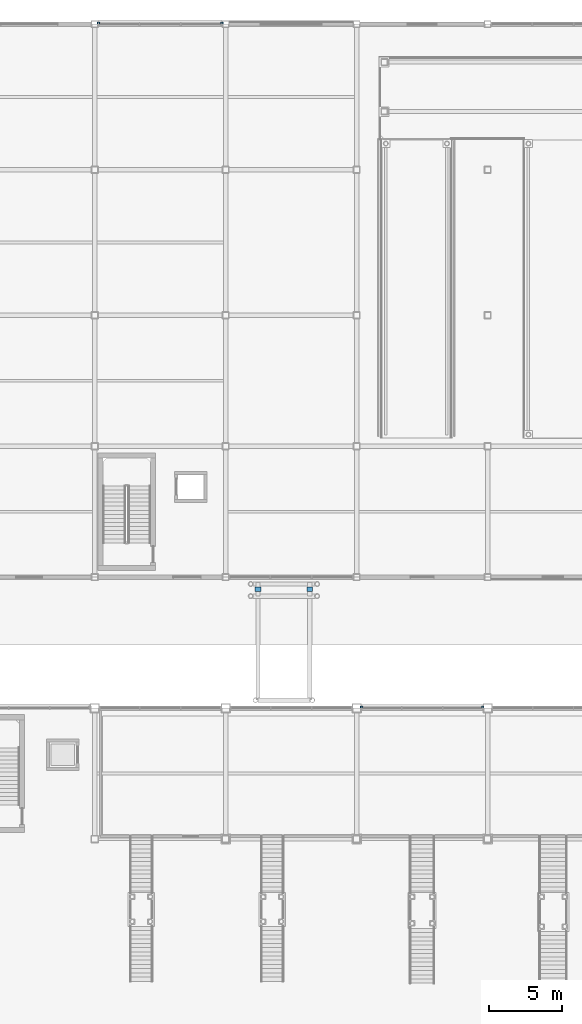
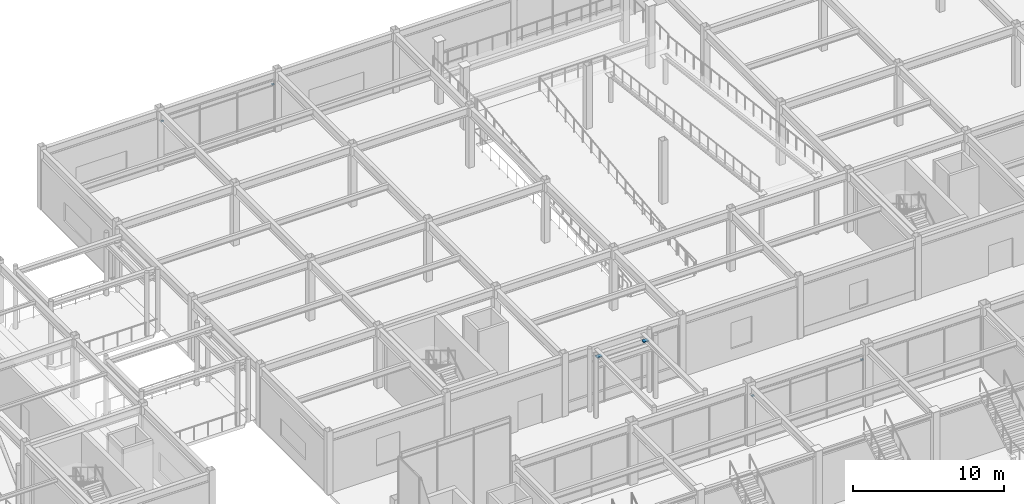
# One storey, part 101 of 123: 6 discrete accessories.
"""IFC4 building model written with IfcOpenShell, lengths in metres."""

from ifc_helpers import new_model, si_unit, direction, frame, origin, origin_2d, place, context, subcontext, project, spatial, rectangle, extrude, material, type_object, element, save


model = new_model("IFC4")

# Units and contexts
model_context = context("Model", 3, precision=1e-05, world=origin(), true_north=direction((0.0, 1.0)))
body_context = subcontext(model_context, "Body", "Model", "MODEL_VIEW")
ifc_project = project(units=[si_unit("LENGTHUNIT", "METRE"), si_unit("AREAUNIT", "SQUARE_METRE"), si_unit("VOLUMEUNIT", "CUBIC_METRE"), si_unit("PLANEANGLEUNIT", "RADIAN"), si_unit("MASSUNIT", "GRAM", prefix="KILO")], contexts=[model_context])

# Site, building, storey
site_placement = place(None, origin())
site = spatial("IfcSite", under=ifc_project, at=site_placement, CompositionType="ELEMENT")
building_placement = place(site_placement, origin())
building = spatial("IfcBuilding", under=site, at=building_placement, Name="Suzunagisa Mobility Hub", CompositionType="ELEMENT")
storey_placement = place(building_placement, origin())
storey = spatial("IfcBuildingStorey", under=building, at=storey_placement, Name="L00", CompositionType="ELEMENT", Elevation=0.0)

# Discrete accessories
ifc_material_1 = material(Name="Stainless Steel SUS316", Category="metal")
discrete_accessory_type_1 = type_object("IfcDiscreteAccessoryType", Name="Stainless Sunshade Outrigger Bracket BRK-01", PredefinedType="BRACKET", material=ifc_material_1)
for number, where, z_axis, x_axis, name in (
    (1, (80.66748046875, 71.0849609375, 3.659912109375), (0.0, 0.0, 1.0), (-1.0, 0.0, 0.0), "Sunshade Outrigger Bracket BRK-10.1"),
    (2, (72.33251953125, 71.0849609375, 3.659912109375), (0.0, 0.0, 1.0), (-1.0, 0.0, 0.0), "Sunshade Outrigger Bracket BRK-10.2"),
    (3, (62.742431640625, 118.0849609375, 3.699951171875), (0.0, 0.0, 1.0), (-1.0, 0.0, 0.0), "Sunshade Outrigger Bracket BRK-19.1"),
    (4, (54.257568359375, 118.0849609375, 3.699951171875), (0.0, 0.0, 1.0), (-1.0, 0.0, 0.0), "Sunshade Outrigger Bracket BRK-19.2"),
):
    element("IfcDiscreteAccessory", number, at=place(storey_placement, frame(where, z_axis=z_axis, x_axis=x_axis)), inside=storey, type_object=discrete_accessory_type_1, Name=name, PredefinedType="BRACKET", context=body_context, shape_type="SweptSolid", body=[
        extrude(rectangle(XDim=0.159912109375, YDim=0.1201171875, at=origin_2d()), origin(), (0.0, 0.0, 1.0), 0.080078125),
    ])
ifc_material_2 = material(Name="PTFE Elastomeric Bearing Assembly")
discrete_accessory_type_2 = type_object("IfcDiscreteAccessoryType", Name="Unguided PTFE Sliding Bearing SBG-01", PredefinedType="SHOE", material=ifc_material_2)
for number, where, z_axis, x_axis, name in (
    (5, (65.219970703125, 79.175048828125, 4.429931640625), (0.0, 0.0, 1.0), (1.0, 0.0, 0.0), "Skybridge PTFE Sliding Bearing SB-02-A"),
    (6, (68.780029296875, 79.175048828125, 4.429931640625), (0.0, 0.0, 1.0), (1.0, 0.0, 0.0), "Skybridge PTFE Sliding Bearing SB-02-B"),
):
    element("IfcDiscreteAccessory", number, at=place(storey_placement, frame(where, z_axis=z_axis, x_axis=x_axis)), inside=storey, type_object=discrete_accessory_type_2, Name=name, PredefinedType="SHOE", context=body_context, shape_type="SweptSolid", body=[
        extrude(rectangle(XDim=0.39990234375, YDim=0.300048828125, at=origin_2d()), origin(), (0.0, 0.0, 1.0), 0.080078125),
    ])

save(model, "model.ifc")
